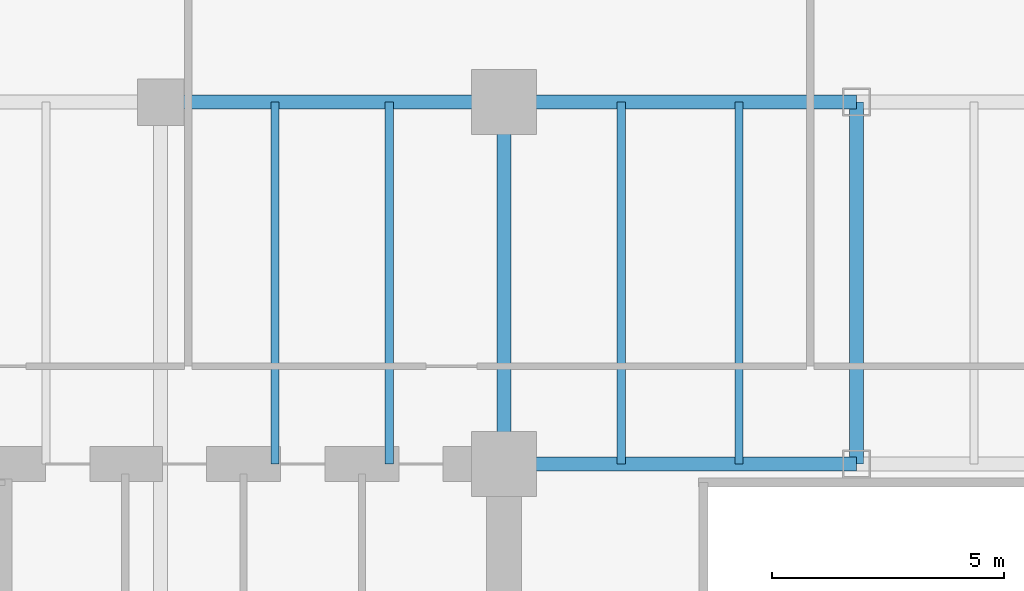
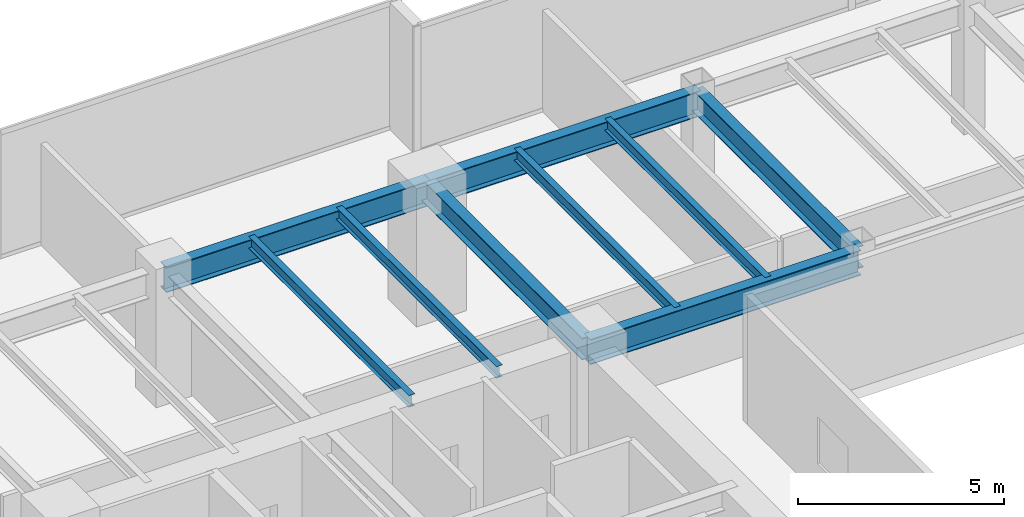
# One storey, part 13 of 35: 9 beams.
"""IFC4 building model written with IfcOpenShell, lengths in metres."""

from ifc_helpers import new_model, si_unit, direction, frame, origin, origin_2d, place, context, subcontext, project, spatial, i_section, extrude, source, transform, mapped, material, material_profile, profile_set, type_object, type_shapes, element, save


model = new_model("IFC4")

# Units and contexts
model_context = context("Model", 3, precision=1e-05, world=origin(), true_north=direction((0.0, 1.0)))
body_context = subcontext(model_context, "Body", "Model", "MODEL_VIEW")
ifc_project = project(units=[si_unit("LENGTHUNIT", "METRE"), si_unit("AREAUNIT", "SQUARE_METRE"), si_unit("VOLUMEUNIT", "CUBIC_METRE"), si_unit("PLANEANGLEUNIT", "RADIAN"), si_unit("MASSUNIT", "GRAM", prefix="KILO")], contexts=[model_context])

# Site, building, storey
site_placement = place(None, origin())
site = spatial("IfcSite", under=ifc_project, at=site_placement, CompositionType="ELEMENT")
building_placement = place(site_placement, origin())
building = spatial("IfcBuilding", under=site, at=building_placement, Name="Haelvirn Gate Laboratories", CompositionType="ELEMENT")
storey_placement = place(building_placement, frame((0.0, 0.0, 66.199951171875)))
storey = spatial("IfcBuildingStorey", under=building, at=storey_placement, Name="L16", CompositionType="ELEMENT", Elevation=66.199951171875)

# Beams
ifc_material = material(Name="Steel SM355", Category="steel")
ifc_material_profile_1 = material_profile(ifc_material, i_section(OverallWidth=0.300048828125, OverallDepth=0.75, WebThickness=0.013916015625, FlangeThickness=0.02392578125, at=origin_2d()), Name="H-750x300x14x24")
ifc_profile_set_1 = profile_set([ifc_material_profile_1], Name="Steel SM355")
beam_type_1 = type_object("IfcBeamType", Name="BM-G-750", PredefinedType="BEAM", material=ifc_profile_set_1)
shared_shape_1 = source(origin(), body_context, "Body", "SweptSolid", [
    extrude(i_section(OverallWidth=0.300048828125, OverallDepth=0.75, WebThickness=0.013916015625, FlangeThickness=0.02392578125, at=origin_2d()), origin(), (0.0, 0.0, 1.0), 7.39990234375),
])
beam_placement = place(storey_placement, frame((14.800048828125, 41.60009765625, 3.405029296875), z_axis=(1.0, 0.0, 0.0), x_axis=(0.0, 1.0, 0.0)))
element("IfcBeam", 1, at=beam_placement, inside=storey, type_object=beam_type_1, Name="L16 Primary Girder Y41.6 (14.8-22.2)", PredefinedType="BEAM", context=body_context, shape_type="MappedRepresentation", body=[
    mapped(shared_shape_1, transform((0.0, 0.0, 0.0), scale=1.0)),
])
shared_shape_2 = source(origin(), body_context, "Body", "SweptSolid", [
    extrude(i_section(OverallWidth=0.300048828125, OverallDepth=0.75, WebThickness=0.013916015625, FlangeThickness=0.02392578125, at=origin_2d()), origin(), (0.0, 0.0, 1.0), 7.60009765625),
])
type_shapes(beam_type_1, [shared_shape_1, shared_shape_2])
for number, where, z_axis, x_axis, name in (
    (2, (22.199951171875, 33.800048828125, 3.405029296875), (1.0, 0.0, 0.0), (0.0, 1.0, 0.0), "L16 Primary Girder Y33.8 (22.2-29.8)"),
    (3, (22.199951171875, 41.60009765625, 3.405029296875), (1.0, 0.0, 0.0), (0.0, 1.0, 0.0), "L16 Primary Girder Y41.6 (22.2-29.8)"),
):
    element("IfcBeam", number, at=place(storey_placement, frame(where, z_axis=z_axis, x_axis=x_axis)), inside=storey, type_object=beam_type_1, Name=name, PredefinedType="BEAM", context=body_context, shape_type="MappedRepresentation", body=[
        mapped(shared_shape_2, transform((0.0, 0.0, 0.0), scale=1.0)),
    ])
ifc_material_profile_2 = material_profile(ifc_material, i_section(OverallWidth=0.175048828125, OverallDepth=0.35009765625, WebThickness=0.007080078125, FlangeThickness=0.010986328125, at=origin_2d()), Name="H-350x175x7x11")
ifc_profile_set_2 = profile_set([ifc_material_profile_2], Name="Steel SM355")
beam_type_2 = type_object("IfcBeamType", Name="BM-J-350", PredefinedType="JOIST", material=ifc_profile_set_2)
shared_shape_3 = source(origin(), body_context, "Body", "SweptSolid", [
    extrude(i_section(OverallWidth=0.175048828125, OverallDepth=0.35009765625, WebThickness=0.007080078125, FlangeThickness=0.010986328125, at=origin_2d()), origin(), (0.0, 0.0, 1.0), 7.800048828125),
])
type_shapes(beam_type_2, [shared_shape_3])
for number, where, z_axis, x_axis, name in (
    (4, (17.27001953125, 33.800048828125, 3.60498046875), (0.0, 1.0, 0.0), (-1.0, 0.0, 0.0), "L16 Composite Lab Joist North X17.27"),
    (5, (19.72998046875, 33.800048828125, 3.60498046875), (0.0, 1.0, 0.0), (-1.0, 0.0, 0.0), "L16 Composite Lab Joist North X19.73"),
    (6, (24.72998046875, 33.800048828125, 3.60498046875), (0.0, 1.0, 0.0), (-1.0, 0.0, 0.0), "L16 Composite Lab Joist North X24.73"),
    (7, (27.27001953125, 33.800048828125, 3.60498046875), (0.0, 1.0, 0.0), (-1.0, 0.0, 0.0), "L16 Composite Lab Joist North X27.27"),
):
    element("IfcBeam", number, at=place(storey_placement, frame(where, z_axis=z_axis, x_axis=x_axis)), inside=storey, type_object=beam_type_2, Name=name, PredefinedType="JOIST", context=body_context, shape_type="MappedRepresentation", body=[
        mapped(shared_shape_3, transform((0.0, 0.0, 0.0), scale=1.0)),
    ])
ifc_material_profile_3 = material_profile(ifc_material, i_section(OverallWidth=0.300048828125, OverallDepth=0.64990234375, WebThickness=0.012939453125, FlangeThickness=0.02197265625, at=origin_2d()), Name="H-650x300x13x22")
ifc_profile_set_3 = profile_set([ifc_material_profile_3], Name="Steel SM355")
beam_type_3 = type_object("IfcBeamType", Name="BM-G-650", PredefinedType="BEAM", material=ifc_profile_set_3)
shared_shape_4 = source(origin(), body_context, "Body", "SweptSolid", [
    extrude(i_section(OverallWidth=0.300048828125, OverallDepth=0.64990234375, WebThickness=0.012939453125, FlangeThickness=0.02197265625, at=origin_2d()), origin(), (0.0, 0.0, 1.0), 7.800048828125),
])
type_shapes(beam_type_3, [shared_shape_4])
for number, where, z_axis, x_axis, name in (
    (8, (22.199951171875, 33.800048828125, 3.455078125), (0.0, 1.0, 0.0), (-1.0, 0.0, 0.0), "L16 Frame Girder X22.2 (33.8-41.6)"),
    (9, (29.800048828125, 33.800048828125, 3.455078125), (0.0, 1.0, 0.0), (-1.0, 0.0, 0.0), "L16 Frame Girder X29.8 (33.8-41.6)"),
):
    element("IfcBeam", number, at=place(storey_placement, frame(where, z_axis=z_axis, x_axis=x_axis)), inside=storey, type_object=beam_type_3, Name=name, PredefinedType="BEAM", context=body_context, shape_type="MappedRepresentation", body=[
        mapped(shared_shape_4, transform((0.0, 0.0, 0.0), scale=1.0)),
    ])

save(model, "model.ifc")
